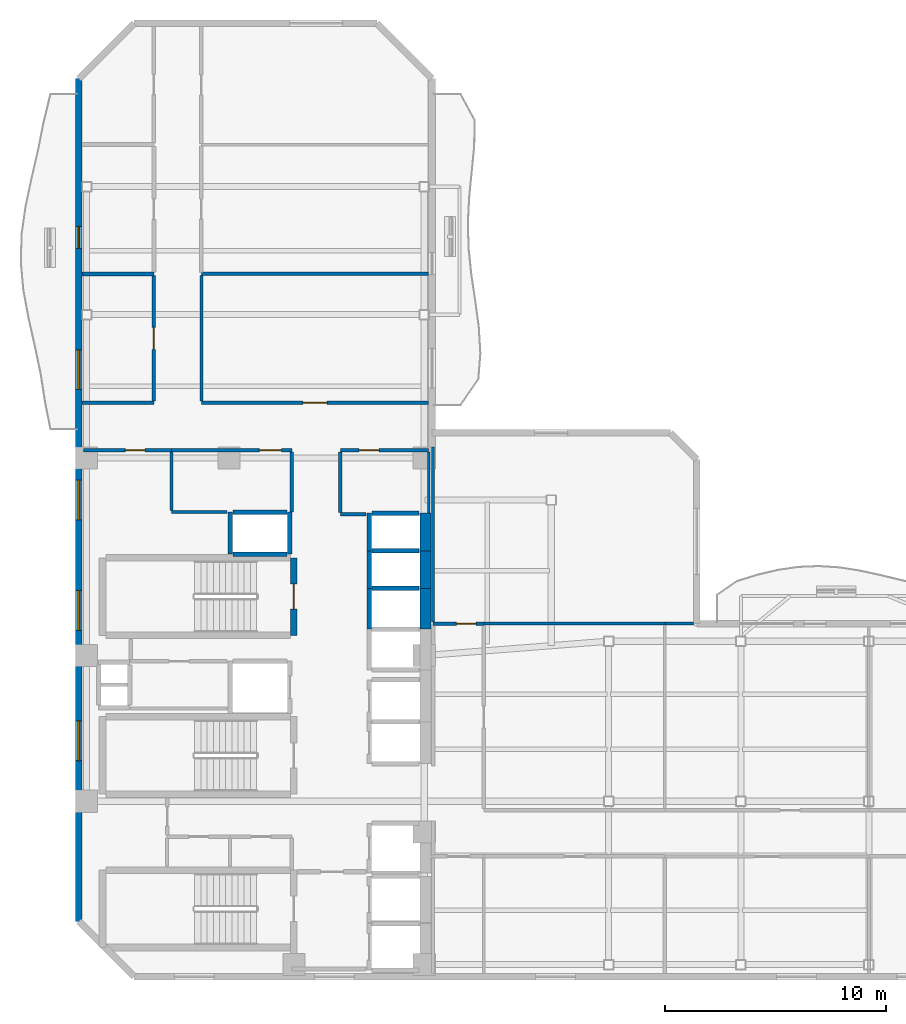
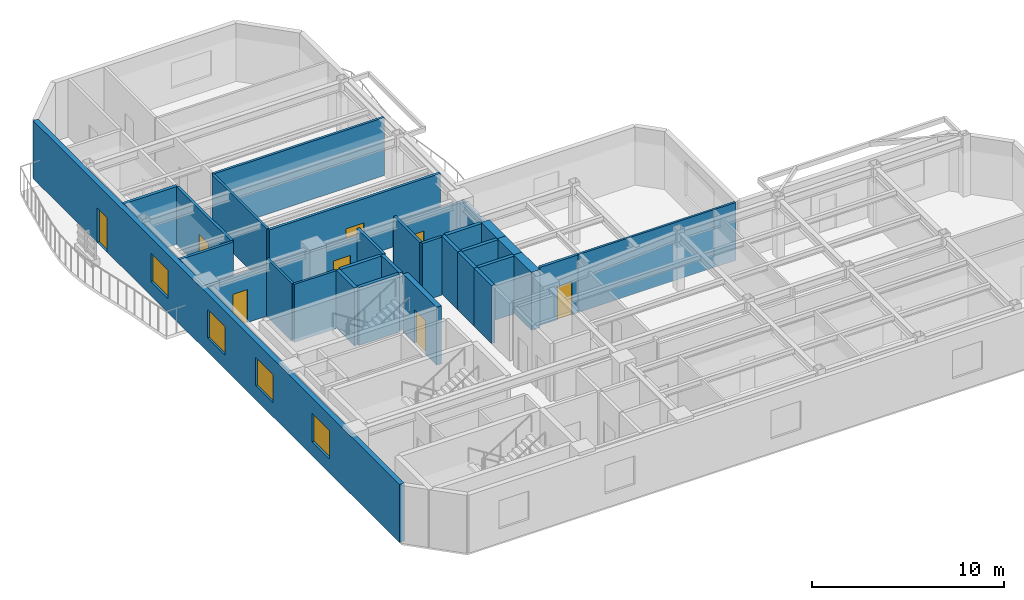
# One storey, part 4 of 9: 34 walls, 8 doors, 4 windows, 12 openings.
"""IFC4 building model written with IfcOpenShell, lengths in metres."""

from ifc_helpers import new_model, si_unit, direction, frame, frame_2d, origin, place, context, subcontext, project, spatial, rectangle, extrude, material, layer, layer_set, type_object, element, fill, save


model = new_model("IFC4")

# Units and contexts
model_context = context("Model", 3, precision=1e-05, world=origin(), true_north=direction((0.0, 1.0)))
body_context = subcontext(model_context, "Body", "Model", "MODEL_VIEW")
ifc_project = project(units=[si_unit("LENGTHUNIT", "METRE"), si_unit("AREAUNIT", "SQUARE_METRE"), si_unit("VOLUMEUNIT", "CUBIC_METRE"), si_unit("PLANEANGLEUNIT", "RADIAN"), si_unit("MASSUNIT", "GRAM", prefix="KILO")], contexts=[model_context])

# Site, building, storey
site_placement = place(None, origin())
site = spatial("IfcSite", under=ifc_project, at=site_placement, CompositionType="ELEMENT")
building_placement = place(site_placement, origin())
building = spatial("IfcBuilding", under=site, at=building_placement, Name="Mawjaban Terraces University", CompositionType="ELEMENT")
storey_placement = place(building_placement, frame((0.0, 0.0, 175.800048828125)))
storey = spatial("IfcBuildingStorey", under=building, at=storey_placement, Name="L42", CompositionType="ELEMENT", Elevation=175.800048828125)

# Walls
ifc_material_1 = material(Name="Acoustic masonry blockwork", Category="masonry")
ifc_layer_1 = layer(ifc_material_1, 0.179931640625)
ifc_layer_set_1 = layer_set([ifc_layer_1], Name="Acoustic masonry blockwork")
wall_type_1 = type_object("IfcWallType", Name="AcousticStudioWall_180", PredefinedType="PARTITIONING", material=ifc_layer_set_1)
wall_1_placement = place(storey_placement, frame((25.39990234375, 31.85009765625, 0.0), z_axis=(0.0, 0.0, 1.0), x_axis=(-1.0, 0.0, 0.0)))
element("IfcWall", 1, at=wall_1_placement, inside=storey, type_object=wall_type_1, Name="L42 Classroom 8 Partition 4", PredefinedType="PARTITIONING", context=body_context, shape_type="SweptSolid", body=[
    extrude(rectangle(XDim=3.2548828125, YDim=0.179931640625, at=frame_2d((1.62744140625, 0.0))), origin(), (0.0, 0.0, 1.0), 3.68994140625),
])
ifc_material_2 = material(Name="Concrete C60/75", Category="concrete")
ifc_layer_2 = layer(ifc_material_2, 0.5)
ifc_layer_set_2 = layer_set([ifc_layer_2], Name="Concrete C60/75")
wall_type_2 = type_object("IfcWallType", Name="CoreShearWall_500", PredefinedType="SHEAR", material=ifc_layer_set_2)
wall_2_placement = place(storey_placement, frame((37.699951171875, 15.75, 0.0), z_axis=(0.0, 0.0, 1.0), x_axis=(0.0, 1.0, 0.0)))
element("IfcWall", 2, at=wall_2_placement, inside=storey, type_object=wall_type_2, Name="L42 Lift OL-2 Hoistway Wall East", PredefinedType="SHEAR", context=body_context, shape_type="SweptSolid", body=[
    extrude(rectangle(XDim=1.85009765625, YDim=0.5, at=frame_2d((0.925048828125, 0.0))), origin(), (0.0, 0.0, 1.0), 3.68994140625),
])
for number, where, z_axis, x_axis, name in (
    (3, (37.699951171875, 17.60009765625, 0.0), (0.0, 0.0, 1.0), (0.0, 1.0, 0.0), "L42 Lift PL-M1 Hoistway Wall East"),
    (4, (37.699951171875, 19.300048828125, 0.0), (0.0, 0.0, 1.0), (0.0, 1.0, 0.0), "L42 Lift PL-M2 Hoistway Wall East"),
):
    element("IfcWall", number, at=place(storey_placement, frame(where, z_axis=z_axis, x_axis=x_axis)), inside=storey, type_object=wall_type_2, Name=name, PredefinedType="SHEAR", context=body_context, shape_type="SweptSolid", body=[
        extrude(rectangle(XDim=1.699951171875, YDim=0.5, at=frame_2d((0.85009765625, 0.0))), origin(), (0.0, 0.0, 1.0), 3.68994140625),
    ])
ifc_material_3 = material(Name="Fire-rated gypsum board on steel stud", Category="steel")
ifc_layer_3 = layer(ifc_material_3, 0.159912109375)
ifc_layer_set_3 = layer_set([ifc_layer_3], Name="Fire-rated gypsum board on steel stud")
wall_type_3 = type_object("IfcWallType", Name="CorridorPartition_160", PredefinedType="PARTITIONING", material=ifc_layer_set_3)
wall_3_placement = place(storey_placement, frame((25.39990234375, 26.0, 0.0), z_axis=(0.0, 0.0, 1.0), x_axis=(-1.0, 0.0, 0.0)))
element("IfcWall", 5, at=wall_3_placement, inside=storey, type_object=wall_type_3, Name="L42 North Core Cross-Corridor Partition 3", PredefinedType="PARTITIONING", context=body_context, shape_type="SweptSolid", body=[
    extrude(rectangle(XDim=3.2548828125, YDim=0.159912109375, at=frame_2d((1.62744140625, 0.0))), origin(), (0.0, 0.0, 1.0), 3.68994140625),
])

# Wall, opening, door
wall_4_placement = place(storey_placement, frame((26.199951171875, 23.85009765625, 0.0), z_axis=(0.0, 0.0, 1.0), x_axis=(-1.0, 0.0, 0.0)))
wall_4 = element("IfcWall", 6, at=wall_4_placement, inside=storey, type_object=wall_type_3, Name="L42 Female Toilet Partition 8", PredefinedType="PARTITIONING", context=body_context, shape_type="SweptSolid", body=[
    extrude(rectangle(XDim=4.0, YDim=0.159912109375, at=frame_2d((2.0, 0.0))), origin(), (0.0, 0.0, 1.0), 3.138916015625),
])
opening_1_placement = place(wall_4_placement, frame((1.2099609375, 0.0, 0.0)))
opening_1 = element("IfcOpeningElement", 7, at=opening_1_placement, cuts=wall_4, Name="Opening ID-088", PredefinedType="OPENING", context=body_context, shape_type="SweptSolid", body=[
    extrude(rectangle(XDim=0.8798828125, YDim=2.10009765625, at=frame_2d((0.43994140625, 1.050048828125))), frame((0.0, 0.08984375, 0.0), z_axis=(0.0, -1.0, 0.0), x_axis=(1.0, 0.0, 0.0)), (0.0, 0.0, 1.0), 0.179931640625),
])
ifc_material_4 = material(Name="Powder-coated steel frame and solid acoustic timber leaf", Category="steel")
door_type_1 = type_object("IfcDoorType", Name="ToiletDoor_880x2100", OperationType="NOTDEFINED", PredefinedType="DOOR", material=ifc_material_4)
door_1_placement = place(opening_1_placement, origin())
door_1 = element("IfcDoor", 8, at=door_1_placement, inside=storey, type_object=door_type_1, Name="L42 Female Toilet Door", OperationType="SINGLE_SWING_LEFT", OverallHeight=2.10009765625, OverallWidth=0.8798828125, PredefinedType="DOOR", context=body_context, shape_type="SweptSolid", body=[
    extrude(rectangle(XDim=0.8798828125, YDim=2.10009765625, at=frame_2d((0.43994140625, 1.050048828125))), frame((0.0, 0.02490234375, 0.0), z_axis=(0.0, -1.0, 0.0), x_axis=(1.0, 0.0, 0.0)), (0.0, 0.0, 1.0), 0.050048828125),
])
fill(opening_1, door_1)

wall_5_placement = place(storey_placement, frame((31.64990234375, 23.85009765625, 0.0), z_axis=(0.0, 0.0, 1.0), x_axis=(-1.0, 0.0, 0.0)))
wall_5 = element("IfcWall", 9, at=wall_5_placement, inside=storey, type_object=wall_type_3, Name="L42 Academic Tutorial Alcove Partition 11", PredefinedType="PARTITIONING", context=body_context, shape_type="SweptSolid", body=[
    extrude(rectangle(XDim=5.449951171875, YDim=0.159912109375, at=frame_2d((2.72509765625, 0.0))), origin(), (0.0, 0.0, 1.0), 3.138916015625),
])
opening_2_placement = place(wall_5_placement, frame((0.47509765625, 0.0, 0.0)))
opening_2 = element("IfcOpeningElement", 10, at=opening_2_placement, cuts=wall_5, Name="Opening ID-100", PredefinedType="OPENING", context=body_context, shape_type="SweptSolid", body=[
    extrude(rectangle(XDim=1.0, YDim=2.10009765625, at=frame_2d((0.5, 1.050048828125))), frame((0.0, 0.08984375, 0.0), z_axis=(0.0, -1.0, 0.0), x_axis=(1.0, 0.0, 0.0)), (0.0, 0.0, 1.0), 0.179931640625),
])
door_type_2 = type_object("IfcDoorType", Name="ClassroomDoor_1000x2100", OperationType="NOTDEFINED", PredefinedType="DOOR", material=ifc_material_4)
door_2_placement = place(opening_2_placement, origin())
door_2 = element("IfcDoor", 11, at=door_2_placement, inside=storey, type_object=door_type_2, Name="L42 Academic Tutorial Alcove Door", OperationType="SINGLE_SWING_RIGHT", OverallHeight=2.10009765625, OverallWidth=1.0, PredefinedType="DOOR", context=body_context, shape_type="SweptSolid", body=[
    extrude(rectangle(XDim=1.0, YDim=2.10009765625, at=frame_2d((0.5, 1.050048828125))), frame((0.0, 0.02490234375, 0.0), z_axis=(0.0, -1.0, 0.0), x_axis=(1.0, 0.0, 0.0)), (0.0, 0.0, 1.0), 0.050048828125),
])
fill(opening_2, door_2)

# Wall
wall_6_placement = place(storey_placement, frame((35.02001953125, 20.949951171875, 0.0), z_axis=(0.0, 0.0, 1.0), x_axis=(-1.0, 0.0, 0.0)))
element("IfcWall", 12, at=wall_6_placement, inside=storey, type_object=wall_type_3, Name="L42 Passenger Lift Lobby Partition 13", PredefinedType="PARTITIONING", context=body_context, shape_type="SweptSolid", body=[
    extrude(rectangle(XDim=1.169921875, YDim=0.159912109375, at=frame_2d((0.5849609375, 0.0))), origin(), (0.0, 0.0, 1.0), 3.68994140625),
])

# Wall, opening, door
wall_7_placement = place(storey_placement, frame((37.85009765625, 23.85009765625, 0.0), z_axis=(0.0, 0.0, 1.0), x_axis=(-1.0, 0.0, 0.0)))
wall_7 = element("IfcWall", 13, at=wall_7_placement, inside=storey, type_object=wall_type_3, Name="L42 Departmental Resource Seminar Room Partition 14", PredefinedType="PARTITIONING", context=body_context, shape_type="SweptSolid", body=[
    extrude(rectangle(XDim=4.0, YDim=0.159912109375, at=frame_2d((2.0, 0.0))), origin(), (0.0, 0.0, 1.0), 3.138916015625),
])
opening_3_placement = place(wall_7_placement, frame((2.25, 0.0, 0.0)))
opening_3 = element("IfcOpeningElement", 14, at=opening_3_placement, cuts=wall_7, Name="Opening ID-090", PredefinedType="OPENING", context=body_context, shape_type="SweptSolid", body=[
    extrude(rectangle(XDim=0.89990234375, YDim=2.10009765625, at=frame_2d((0.449951171875, 1.050048828125))), frame((0.0, 0.08984375, 0.0), z_axis=(0.0, -1.0, 0.0), x_axis=(1.0, 0.0, 0.0)), (0.0, 0.0, 1.0), 0.179931640625),
])
door_type_3 = type_object("IfcDoorType", Name="OfficeDoor_900x2100", OperationType="NOTDEFINED", PredefinedType="DOOR", material=ifc_material_4)
door_3_placement = place(opening_3_placement, origin())
door_3 = element("IfcDoor", 15, at=door_3_placement, inside=storey, type_object=door_type_3, Name="L42 Departmental Resource Seminar Room Door", OperationType="SINGLE_SWING_LEFT", OverallHeight=2.10009765625, OverallWidth=0.89990234375, PredefinedType="DOOR", context=body_context, shape_type="SweptSolid", body=[
    extrude(rectangle(XDim=0.89990234375, YDim=2.10009765625, at=frame_2d((0.449951171875, 1.050048828125))), frame((0.0, 0.02490234375, 0.0), z_axis=(0.0, -1.0, 0.0), x_axis=(1.0, 0.0, 0.0)), (0.0, 0.0, 1.0), 0.050048828125),
])
fill(opening_3, door_3)

wall_8_placement = place(storey_placement, frame((37.85009765625, 26.0, 0.0), z_axis=(0.0, 0.0, 1.0), x_axis=(-1.0, 0.0, 0.0)))
wall_8 = element("IfcWall", 16, at=wall_8_placement, inside=storey, type_object=wall_type_3, Name="L42 North Core Cross-Corridor Partition 15", PredefinedType="PARTITIONING", context=body_context, shape_type="SweptSolid", body=[
    extrude(rectangle(XDim=10.300048828125, YDim=0.159912109375, at=frame_2d((5.14990234375, 0.0))), origin(), (0.0, 0.0, 1.0), 3.68994140625),
])
opening_4_placement = place(wall_8_placement, frame((4.60009765625, 0.0, 0.0)))
opening_4 = element("IfcOpeningElement", 17, at=opening_4_placement, cuts=wall_8, Name="Opening ID-110", PredefinedType="OPENING", context=body_context, shape_type="SweptSolid", body=[
    extrude(rectangle(XDim=1.10009765625, YDim=2.14990234375, at=frame_2d((0.550048828125, 1.074951171875))), frame((0.0, 0.08984375, 0.0), z_axis=(0.0, -1.0, 0.0), x_axis=(1.0, 0.0, 0.0)), (0.0, 0.0, 1.0), 0.179931640625),
])
door_type_4 = type_object("IfcDoorType", Name="LabDoor_1100x2150", OperationType="NOTDEFINED", PredefinedType="DOOR", material=ifc_material_4)
door_4_placement = place(opening_4_placement, origin())
door_4 = element("IfcDoor", 18, at=door_4_placement, inside=storey, type_object=door_type_4, Name="L42 Computational Laboratory 9 Door", OperationType="SINGLE_SWING_RIGHT", OverallHeight=2.14990234375, OverallWidth=1.10009765625, PredefinedType="DOOR", context=body_context, shape_type="SweptSolid", body=[
    extrude(rectangle(XDim=1.10009765625, YDim=2.14990234375, at=frame_2d((0.550048828125, 1.074951171875))), frame((0.0, 0.02490234375, 0.0), z_axis=(0.0, -1.0, 0.0), x_axis=(1.0, 0.0, 0.0)), (0.0, 0.0, 1.0), 0.050048828125),
])
fill(opening_4, door_4)

wall_9_placement = place(storey_placement, frame((40.35009765625, 16.0, 0.0), z_axis=(0.0, 0.0, 1.0), x_axis=(-1.0, 0.0, 0.0)))
wall_9 = element("IfcWall", 19, at=wall_9_placement, inside=storey, type_object=wall_type_3, Name="L42 South Spine Spur Link Partition 20", PredefinedType="PARTITIONING", context=body_context, shape_type="SweptSolid", body=[
    extrude(rectangle(XDim=2.300048828125, YDim=0.159912109375, at=frame_2d((1.14990234375, 0.0))), origin(), (0.0, 0.0, 1.0), 3.68994140625),
])
opening_5_placement = place(wall_9_placement, frame((0.35009765625, 0.0, 0.0)))
opening_5 = element("IfcOpeningElement", 20, at=opening_5_placement, cuts=wall_9, Name="Opening ID-090", PredefinedType="OPENING", context=body_context, shape_type="SweptSolid", body=[
    extrude(rectangle(XDim=0.89990234375, YDim=2.10009765625, at=frame_2d((0.449951171875, 1.050048828125))), frame((0.0, 0.08984375, 0.0), z_axis=(0.0, -1.0, 0.0), x_axis=(1.0, 0.0, 0.0)), (0.0, 0.0, 1.0), 0.179931640625),
])
door_5_placement = place(opening_5_placement, origin())
door_5 = element("IfcDoor", 21, at=door_5_placement, inside=storey, type_object=door_type_3, Name="L42 Terrace Collaborative Study Room Door", OperationType="SINGLE_SWING_LEFT", OverallHeight=2.10009765625, OverallWidth=0.89990234375, PredefinedType="DOOR", context=body_context, shape_type="SweptSolid", body=[
    extrude(rectangle(XDim=0.89990234375, YDim=2.10009765625, at=frame_2d((0.449951171875, 1.050048828125))), frame((0.0, 0.02490234375, 0.0), z_axis=(0.0, -1.0, 0.0), x_axis=(1.0, 0.0, 0.0)), (0.0, 0.0, 1.0), 0.050048828125),
])
fill(opening_5, door_5)

wall_10_placement = place(storey_placement, frame((25.39990234375, 31.764892578125, 0.0), z_axis=(0.0, 0.0, 1.0), x_axis=(0.0, -1.0, 0.0)))
wall_10 = element("IfcWall", 22, at=wall_10_placement, inside=storey, type_object=wall_type_3, Name="L42 West Shifted Academic Corridor Partition 29", PredefinedType="PARTITIONING", context=body_context, shape_type="SweptSolid", body=[
    extrude(rectangle(XDim=5.68994140625, YDim=0.159912109375, at=frame_2d((2.844970703125, 0.0))), origin(), (0.0, 0.0, 1.0), 3.68994140625),
])
opening_6_placement = place(wall_10_placement, frame((2.344970703125, 0.0, 0.0)))
opening_6 = element("IfcOpeningElement", 23, at=opening_6_placement, cuts=wall_10, Name="Opening ID-100", PredefinedType="OPENING", context=body_context, shape_type="SweptSolid", body=[
    extrude(rectangle(XDim=1.0, YDim=2.10009765625, at=frame_2d((0.5, 1.050048828125))), frame((0.0, 0.08984375, 0.0), z_axis=(0.0, -1.0, 0.0), x_axis=(1.0, 0.0, 0.0)), (0.0, 0.0, 1.0), 0.179931640625),
])
door_6_placement = place(opening_6_placement, origin())
door_6 = element("IfcDoor", 24, at=door_6_placement, inside=storey, type_object=door_type_2, Name="L42 Classroom 8 Door", OperationType="SINGLE_SWING_LEFT", OverallHeight=2.10009765625, OverallWidth=1.0, PredefinedType="DOOR", context=body_context, shape_type="SweptSolid", body=[
    extrude(rectangle(XDim=1.0, YDim=2.10009765625, at=frame_2d((0.5, 1.050048828125))), frame((0.0, 0.02490234375, 0.0), z_axis=(0.0, -1.0, 0.0), x_axis=(1.0, 0.0, 0.0)), (0.0, 0.0, 1.0), 0.050048828125),
])
fill(opening_6, door_6)

# Walls
wall_11_placement = place(storey_placement, frame((31.64990234375, 23.77490234375, 0.0), z_axis=(0.0, 0.0, 1.0), x_axis=(0.0, -1.0, 0.0)))
element("IfcWall", 25, at=wall_11_placement, inside=storey, type_object=wall_type_3, Name="L42 Core North Lift Lobby Partition 40", PredefinedType="PARTITIONING", context=body_context, shape_type="SweptSolid", body=[
    extrude(rectangle(XDim=2.724853515625, YDim=0.159912109375, at=frame_2d((1.3623046875, 0.0))), origin(), (0.0, 0.0, 1.0), 3.68994140625),
])
wall_12_placement = place(storey_placement, frame((33.85009765625, 21.02490234375, 0.0), z_axis=(0.0, 0.0, 1.0), x_axis=(0.0, 1.0, 0.0)))
element("IfcWall", 26, at=wall_12_placement, inside=storey, type_object=wall_type_3, Name="L42 Core North Lift Lobby Partition 41", PredefinedType="PARTITIONING", context=body_context, shape_type="SweptSolid", body=[
    extrude(rectangle(XDim=2.75, YDim=0.159912109375, at=frame_2d((1.375, 0.0))), origin(), (0.0, 0.0, 1.0), 3.68994140625),
])

# Wall, openings, door, windows
ifc_material_5 = material(Name="Insulated terracotta rainscreen on concrete backup C40/50", Category="masonry")
ifc_layer_4 = layer(ifc_material_5, 0.300048828125)
ifc_layer_set_4 = layer_set([ifc_layer_4], Name="Insulated terracotta rainscreen on concrete backup C40/50")
wall_type_4 = type_object("IfcWallType", Name="ExtTerracottaWall_300", PredefinedType="SOLIDWALL", material=ifc_layer_set_4)
wall_13_placement = place(storey_placement, frame((22.0, 40.699951171875, 0.0), z_axis=(0.0, 0.0, 1.0), x_axis=(0.0, -1.0, 0.0)))
wall_13 = element("IfcWall", 27, at=wall_13_placement, inside=storey, type_object=wall_type_4, Name="L42 Exterior Terracotta Wall 13", PredefinedType="SOLIDWALL", context=body_context, shape_type="SweptSolid", body=[
    extrude(rectangle(XDim=38.199951171875, YDim=0.300048828125, at=frame_2d((19.10009765625, 0.0))), origin(), (0.0, 0.0, 1.0), 3.68994140625),
])
opening_7_placement = place(wall_13_placement, frame((6.699951171875, 0.0, 0.0)))
opening_7 = element("IfcOpeningElement", 28, at=opening_7_placement, cuts=wall_13, Name="Opening BD-100", PredefinedType="OPENING", context=body_context, shape_type="SweptSolid", body=[
    extrude(rectangle(XDim=1.0, YDim=2.199951171875, at=frame_2d((0.5, 1.10009765625))), frame((0.0, 0.159912109375, 0.0), z_axis=(0.0, -1.0, 0.0), x_axis=(1.0, 0.0, 0.0)), (0.0, 0.0, 1.0), 0.320068359375),
])
opening_8_placement = place(wall_13_placement, frame((12.29296875, 0.0, 0.89990234375)))
opening_8 = element("IfcOpeningElement", 29, at=opening_8_placement, cuts=wall_13, Name="Opening W-07", PredefinedType="OPENING", context=body_context, shape_type="SweptSolid", body=[
    extrude(rectangle(XDim=1.800048828125, YDim=1.800048828125, at=frame_2d((0.89990234375, 0.89990234375))), frame((0.0, 0.159912109375, 0.0), z_axis=(0.0, -1.0, 0.0), x_axis=(1.0, 0.0, 0.0)), (0.0, 0.0, 1.0), 0.320068359375),
])
opening_9_placement = place(wall_13_placement, frame((18.199951171875, 0.0, 0.89990234375)))
opening_9 = element("IfcOpeningElement", 30, at=opening_9_placement, cuts=wall_13, Name="Opening W-07", PredefinedType="OPENING", context=body_context, shape_type="SweptSolid", body=[
    extrude(rectangle(XDim=1.800048828125, YDim=1.800048828125, at=frame_2d((0.89990234375, 0.89990234375))), frame((0.0, 0.159912109375, 0.0), z_axis=(0.0, -1.0, 0.0), x_axis=(1.0, 0.0, 0.0)), (0.0, 0.0, 1.0), 0.320068359375),
])
opening_10_placement = place(wall_13_placement, frame((23.20703125, 0.0, 0.89990234375)))
opening_10 = element("IfcOpeningElement", 31, at=opening_10_placement, cuts=wall_13, Name="Opening W-07", PredefinedType="OPENING", context=body_context, shape_type="SweptSolid", body=[
    extrude(rectangle(XDim=1.800048828125, YDim=1.800048828125, at=frame_2d((0.89990234375, 0.89990234375))), frame((0.0, 0.159912109375, 0.0), z_axis=(0.0, -1.0, 0.0), x_axis=(1.0, 0.0, 0.0)), (0.0, 0.0, 1.0), 0.320068359375),
])
opening_11_placement = place(wall_13_placement, frame((29.114013671875, 0.0, 0.89990234375)))
opening_11 = element("IfcOpeningElement", 32, at=opening_11_placement, cuts=wall_13, Name="Opening W-07", PredefinedType="OPENING", context=body_context, shape_type="SweptSolid", body=[
    extrude(rectangle(XDim=1.800048828125, YDim=1.800048828125, at=frame_2d((0.89990234375, 0.89990234375))), frame((0.0, 0.159912109375, 0.0), z_axis=(0.0, -1.0, 0.0), x_axis=(1.0, 0.0, 0.0)), (0.0, 0.0, 1.0), 0.320068359375),
])
ifc_material_6 = material(Name="Thermally broken anodised aluminium and laminated safety glass", Category="aluminium")
door_type_5 = type_object("IfcDoorType", Name="BalconyGlazedDoor_1000x2200", OperationType="NOTDEFINED", PredefinedType="DOOR", material=ifc_material_6)
door_7_placement = place(opening_7_placement, origin())
door_7 = element("IfcDoor", 33, at=door_7_placement, inside=storey, type_object=door_type_5, Name="L42 Balcony Access Door west", OperationType="SINGLE_SWING_LEFT", OverallHeight=2.199951171875, OverallWidth=1.0, PredefinedType="DOOR", context=body_context, shape_type="SweptSolid", body=[
    extrude(rectangle(XDim=1.0, YDim=2.199951171875, at=frame_2d((0.5, 1.10009765625))), frame((0.0, 0.02490234375, 0.0), z_axis=(0.0, -1.0, 0.0), x_axis=(1.0, 0.0, 0.0)), (0.0, 0.0, 1.0), 0.050048828125),
])
fill(opening_7, door_7)
ifc_material_7 = material(Name="Low-E solar-control double glazing in thermally broken aluminium frame", Category="aluminium")
window_type = type_object("IfcWindowType", Name="Win_1800x1800", PartitioningType="SINGLE_PANEL", PredefinedType="WINDOW", material=ifc_material_7)
window_1_placement = place(opening_8_placement, origin())
window_1 = element("IfcWindow", 34, at=window_1_placement, inside=storey, type_object=window_type, Name="L42 Facade Window 13.3", OverallHeight=1.800048828125, OverallWidth=1.800048828125, PartitioningType="SINGLE_PANEL", PredefinedType="WINDOW", context=body_context, shape_type="SweptSolid", body=[
    extrude(rectangle(XDim=1.800048828125, YDim=1.800048828125, at=frame_2d((0.89990234375, 0.89990234375))), frame((0.0, 0.030029296875, 0.0), z_axis=(0.0, -1.0, 0.0), x_axis=(1.0, 0.0, 0.0)), (0.0, 0.0, 1.0), 0.06005859375),
])
fill(opening_8, window_1)
window_2_placement = place(opening_9_placement, origin())
window_2 = element("IfcWindow", 35, at=window_2_placement, inside=storey, type_object=window_type, Name="L42 Facade Window 13.4", OverallHeight=1.800048828125, OverallWidth=1.800048828125, PartitioningType="SINGLE_PANEL", PredefinedType="WINDOW", context=body_context, shape_type="SweptSolid", body=[
    extrude(rectangle(XDim=1.800048828125, YDim=1.800048828125, at=frame_2d((0.89990234375, 0.89990234375))), frame((0.0, 0.030029296875, 0.0), z_axis=(0.0, -1.0, 0.0), x_axis=(1.0, 0.0, 0.0)), (0.0, 0.0, 1.0), 0.06005859375),
])
fill(opening_9, window_2)
window_3_placement = place(opening_10_placement, origin())
window_3 = element("IfcWindow", 36, at=window_3_placement, inside=storey, type_object=window_type, Name="L42 Facade Window 13.5", OverallHeight=1.800048828125, OverallWidth=1.800048828125, PartitioningType="SINGLE_PANEL", PredefinedType="WINDOW", context=body_context, shape_type="SweptSolid", body=[
    extrude(rectangle(XDim=1.800048828125, YDim=1.800048828125, at=frame_2d((0.89990234375, 0.89990234375))), frame((0.0, 0.030029296875, 0.0), z_axis=(0.0, -1.0, 0.0), x_axis=(1.0, 0.0, 0.0)), (0.0, 0.0, 1.0), 0.06005859375),
])
fill(opening_10, window_3)
window_4_placement = place(opening_11_placement, origin())
window_4 = element("IfcWindow", 37, at=window_4_placement, inside=storey, type_object=window_type, Name="L42 Facade Window 13.6", OverallHeight=1.800048828125, OverallWidth=1.800048828125, PartitioningType="SINGLE_PANEL", PredefinedType="WINDOW", context=body_context, shape_type="SweptSolid", body=[
    extrude(rectangle(XDim=1.800048828125, YDim=1.800048828125, at=frame_2d((0.89990234375, 0.89990234375))), frame((0.0, 0.030029296875, 0.0), z_axis=(0.0, -1.0, 0.0), x_axis=(1.0, 0.0, 0.0)), (0.0, 0.0, 1.0), 0.06005859375),
])
fill(opening_11, window_4)

# Walls
ifc_material_8 = material(Name="Concrete C40/50", Category="concrete")
ifc_layer_5 = layer(ifc_material_8, 0.199951171875)
ifc_layer_set_5 = layer_set([ifc_layer_5], Name="Concrete C40/50")
wall_type_5 = type_object("IfcWallType", Name="FireLobbyWall_200", PredefinedType="SOLIDWALL", material=ifc_layer_set_5)
wall_14_placement = place(storey_placement, frame((35.14990234375, 17.60009765625, 0.0), z_axis=(0.0, 0.0, 1.0), x_axis=(0.0, -1.0, 0.0)))
element("IfcWall", 38, at=wall_14_placement, inside=storey, type_object=wall_type_5, Name="L42 Lift OL-2 Hoistway Wall West", PredefinedType="SOLIDWALL", context=body_context, shape_type="SweptSolid", body=[
    extrude(rectangle(XDim=1.85009765625, YDim=0.199951171875, at=frame_2d((0.925048828125, 0.0))), origin(), (0.0, 0.0, 1.0), 3.68994140625),
])
wall_15_placement = place(storey_placement, frame((37.419921875, 17.60009765625, 0.0), z_axis=(0.0, 0.0, 1.0), x_axis=(-1.0, 0.0, 0.0)))
element("IfcWall", 39, at=wall_15_placement, inside=storey, type_object=wall_type_5, Name="L42 Lift OL-2 Hoistway Wall North", PredefinedType="SOLIDWALL", context=body_context, shape_type="SweptSolid", body=[
    extrude(rectangle(XDim=2.139892578125, YDim=0.199951171875, at=frame_2d((1.06982421875, 0.0))), origin(), (0.0, 0.0, 1.0), 3.68994140625),
])
wall_16_placement = place(storey_placement, frame((35.14990234375, 19.300048828125, 0.0), z_axis=(0.0, 0.0, 1.0), x_axis=(0.0, -1.0, 0.0)))
element("IfcWall", 40, at=wall_16_placement, inside=storey, type_object=wall_type_5, Name="L42 Lift PL-M1 Hoistway Wall West", PredefinedType="SOLIDWALL", context=body_context, shape_type="SweptSolid", body=[
    extrude(rectangle(XDim=1.699951171875, YDim=0.199951171875, at=frame_2d((0.85009765625, 0.0))), origin(), (0.0, 0.0, 1.0), 3.68994140625),
])
wall_17_placement = place(storey_placement, frame((37.419921875, 19.300048828125, 0.0), z_axis=(0.0, 0.0, 1.0), x_axis=(-1.0, 0.0, 0.0)))
element("IfcWall", 41, at=wall_17_placement, inside=storey, type_object=wall_type_5, Name="L42 Lift PL-M1 Hoistway Wall North", PredefinedType="SOLIDWALL", context=body_context, shape_type="SweptSolid", body=[
    extrude(rectangle(XDim=2.139892578125, YDim=0.199951171875, at=frame_2d((1.06982421875, 0.0))), origin(), (0.0, 0.0, 1.0), 3.68994140625),
])
wall_18_placement = place(storey_placement, frame((35.14990234375, 21.0, 0.0), z_axis=(0.0, 0.0, 1.0), x_axis=(0.0, -1.0, 0.0)))
element("IfcWall", 42, at=wall_18_placement, inside=storey, type_object=wall_type_5, Name="L42 Lift PL-M2 Hoistway Wall West", PredefinedType="SOLIDWALL", context=body_context, shape_type="SweptSolid", body=[
    extrude(rectangle(XDim=1.699951171875, YDim=0.199951171875, at=frame_2d((0.85009765625, 0.0))), origin(), (0.0, 0.0, 1.0), 3.68994140625),
])
wall_19_placement = place(storey_placement, frame((37.419921875, 21.0, 0.0), z_axis=(0.0, 0.0, 1.0), x_axis=(-1.0, 0.0, 0.0)))
element("IfcWall", 43, at=wall_19_placement, inside=storey, type_object=wall_type_5, Name="L42 Lift PL-M2 Hoistway Wall North", PredefinedType="SOLIDWALL", context=body_context, shape_type="SweptSolid", body=[
    extrude(rectangle(XDim=2.139892578125, YDim=0.199951171875, at=frame_2d((1.06982421875, 0.0))), origin(), (0.0, 0.0, 1.0), 3.68994140625),
])
for number, where, z_axis, x_axis, name in (
    (44, (28.85009765625, 21.050048828125, 0.0), (0.0, 0.0, 1.0), (0.0, -1.0, 0.0), "L42 Lift PL-M3 Hoistway Wall West"),
    (45, (31.550048828125, 19.14990234375, 0.0), (0.0, 0.0, 1.0), (0.0, 1.0, 0.0), "L42 Lift PL-M3 Hoistway Wall East"),
):
    element("IfcWall", number, at=place(storey_placement, frame(where, z_axis=z_axis, x_axis=x_axis)), inside=storey, type_object=wall_type_5, Name=name, PredefinedType="SOLIDWALL", context=body_context, shape_type="SweptSolid", body=[
        extrude(rectangle(XDim=1.900146484375, YDim=0.199951171875, at=frame_2d((0.9501953125, 0.0))), origin(), (0.0, 0.0, 1.0), 3.68994140625),
    ])
for number, where, z_axis, x_axis, name in (
    (46, (28.97998046875, 19.14990234375, 0.0), (0.0, 0.0, 1.0), (1.0, 0.0, 0.0), "L42 Lift PL-M3 Hoistway Wall South"),
    (47, (31.419921875, 21.050048828125, 0.0), (0.0, 0.0, 1.0), (-1.0, 0.0, 0.0), "L42 Lift PL-M3 Hoistway Wall North"),
):
    element("IfcWall", number, at=place(storey_placement, frame(where, z_axis=z_axis, x_axis=x_axis)), inside=storey, type_object=wall_type_5, Name=name, PredefinedType="SOLIDWALL", context=body_context, shape_type="SweptSolid", body=[
        extrude(rectangle(XDim=2.43994140625, YDim=0.199951171875, at=frame_2d((1.219970703125, 0.0))), origin(), (0.0, 0.0, 1.0), 3.68994140625),
    ])
ifc_material_9 = material(Name="Moisture-resistant gypsum board on steel stud", Category="steel")
ifc_layer_6 = layer(ifc_material_9, 0.14501953125)
ifc_layer_set_6 = layer_set([ifc_layer_6], Name="Moisture-resistant gypsum board on steel stud")
wall_type_6 = type_object("IfcWallType", Name="LabPartition_145", PredefinedType="PARTITIONING", material=ifc_layer_set_6)
wall_20_placement = place(storey_placement, frame((37.85009765625, 31.85009765625, 0.0), z_axis=(0.0, 0.0, 1.0), x_axis=(-1.0, 0.0, 0.0)))
element("IfcWall", 48, at=wall_20_placement, inside=storey, type_object=wall_type_6, Name="L42 Computational Laboratory 9 Partition 16", PredefinedType="PARTITIONING", context=body_context, shape_type="SweptSolid", body=[
    extrude(rectangle(XDim=10.300048828125, YDim=0.14501953125, at=frame_2d((5.14990234375, 0.0))), origin(), (0.0, 0.0, 1.0), 3.68994140625),
])
wall_21_placement = place(storey_placement, frame((27.550048828125, 26.074951171875, 0.0), z_axis=(0.0, 0.0, 1.0), x_axis=(0.0, 1.0, 0.0)))
element("IfcWall", 49, at=wall_21_placement, inside=storey, type_object=wall_type_6, Name="L42 West Shifted Academic Corridor Partition 35", PredefinedType="PARTITIONING", context=body_context, shape_type="SweptSolid", body=[
    extrude(rectangle(XDim=5.7080078125, YDim=0.14501953125, at=frame_2d((2.85400390625, 0.0))), origin(), (0.0, 0.0, 1.0), 3.68994140625),
])
ifc_material_10 = material(Name="Gypsum plasterboard on steel stud", Category="steel")
ifc_layer_7 = layer(ifc_material_10, 0.125)
ifc_layer_set_7 = layer_set([ifc_layer_7], Name="Gypsum plasterboard on steel stud")
wall_type_7 = type_object("IfcWallType", Name="OfficePartition_125", PredefinedType="PARTITIONING", material=ifc_layer_set_7)
wall_22_placement = place(storey_placement, frame((48.550048828125, 16.0, 0.0), z_axis=(0.0, 0.0, 1.0), x_axis=(1.0, 0.0, 0.0)))
element("IfcWall", 50, at=wall_22_placement, inside=storey, type_object=wall_type_7, Name="L42 Terrace Collaborative Study Room Partition 23", PredefinedType="PARTITIONING", context=body_context, shape_type="SweptSolid", body=[
    extrude(rectangle(XDim=1.304931640625, YDim=0.125, at=frame_2d((0.65234375, 0.0))), origin(), (0.0, 0.0, 1.0), 3.68994140625),
])
wall_23_placement = place(storey_placement, frame((48.550048828125, 16.0, 0.0), z_axis=(0.0, 0.0, 1.0), x_axis=(-1.0, 0.0, 0.0)))
element("IfcWall", 51, at=wall_23_placement, inside=storey, type_object=wall_type_7, Name="L42 Classroom 3 Partition 24", PredefinedType="PARTITIONING", context=body_context, shape_type="SweptSolid", body=[
    extrude(rectangle(XDim=8.199951171875, YDim=0.125, at=frame_2d((4.10009765625, 0.0))), origin(), (0.0, 0.0, 1.0), 3.68994140625),
])
wall_24_placement = place(storey_placement, frame((37.85009765625, 21.0, 0.0), z_axis=(0.0, 0.0, 1.0), x_axis=(0.0, 1.0, 0.0)))
element("IfcWall", 52, at=wall_24_placement, inside=storey, type_object=wall_type_7, Name="L42 Departmental Resource Seminar Room Partition 42", PredefinedType="PARTITIONING", context=body_context, shape_type="SweptSolid", body=[
    extrude(rectangle(XDim=2.77490234375, YDim=0.125, at=frame_2d((1.387451171875, 0.0))), origin(), (0.0, 0.0, 1.0), 3.138916015625),
])
wall_25_placement = place(storey_placement, frame((38.050048828125, 24.0, 0.0), z_axis=(0.0, 0.0, 1.0), x_axis=(0.0, -1.0, 0.0)))
element("IfcWall", 53, at=wall_25_placement, inside=storey, type_object=wall_type_7, Name="L42 Terrace Collaborative Study Room Partition 46", PredefinedType="PARTITIONING", context=body_context, shape_type="SweptSolid", body=[
    extrude(rectangle(XDim=7.925048828125, YDim=0.125, at=frame_2d((3.96240234375, 0.0))), origin(), (0.0, 0.0, 1.0), 3.138916015625),
])

# Wall, opening, door
ifc_layer_8 = layer(ifc_material_2, 0.300048828125)
ifc_layer_set_8 = layer_set([ifc_layer_8], Name="Concrete C60/75")
wall_type_8 = type_object("IfcWallType", Name="StairShaftWall_300", PredefinedType="SHEAR", material=ifc_layer_set_8)
wall_26_placement = place(storey_placement, frame((31.72998046875, 15.469970703125, 0.0), z_axis=(0.0, 0.0, 1.0), x_axis=(0.0, 1.0, 0.0)))
wall_26 = element("IfcWall", 54, at=wall_26_placement, inside=storey, type_object=wall_type_8, Name="L42 ST-2 Stair Shaft Wall 4", PredefinedType="SHEAR", context=body_context, shape_type="SweptSolid", body=[
    extrude(rectangle(XDim=3.510009765625, YDim=0.300048828125, at=frame_2d((1.7548828125, 0.0))), origin(), (0.0, 0.0, 1.0), 3.68994140625),
])
opening_12_placement = place(wall_26_placement, frame((1.179931640625, 0.0, 0.0)))
opening_12 = element("IfcOpeningElement", 55, at=opening_12_placement, cuts=wall_26, Name="Opening FD-115", PredefinedType="OPENING", context=body_context, shape_type="SweptSolid", body=[
    extrude(rectangle(XDim=1.14990234375, YDim=2.14990234375, at=frame_2d((0.574951171875, 1.074951171875))), frame((0.0, 0.159912109375, 0.0), z_axis=(0.0, -1.0, 0.0), x_axis=(1.0, 0.0, 0.0)), (0.0, 0.0, 1.0), 0.320068359375),
])
ifc_material_11 = material(Name="Powder-coated steel frame and fire-rated steel-faced leaf", Category="steel")
door_type_6 = type_object("IfcDoorType", Name="FireStairDoor_1150x2150", OperationType="NOTDEFINED", PredefinedType="DOOR", material=ifc_material_11)
door_8_placement = place(opening_12_placement, origin())
door_8 = element("IfcDoor", 56, at=door_8_placement, inside=storey, type_object=door_type_6, Name="L42 ST-2 Pressurised Stair Fire Door", OperationType="SINGLE_SWING_RIGHT", OverallHeight=2.14990234375, OverallWidth=1.14990234375, PredefinedType="DOOR", context=body_context, shape_type="SweptSolid", body=[
    extrude(rectangle(XDim=1.14990234375, YDim=2.14990234375, at=frame_2d((0.574951171875, 1.074951171875))), frame((0.0, 0.02490234375, 0.0), z_axis=(0.0, -1.0, 0.0), x_axis=(1.0, 0.0, 0.0)), (0.0, 0.0, 1.0), 0.050048828125),
])
fill(opening_12, door_8)

# Walls
ifc_material_12 = material(Name="Cement-board wet-room partition", Category="masonry")
ifc_layer_9 = layer(ifc_material_12, 0.135009765625)
ifc_layer_set_9 = layer_set([ifc_layer_9], Name="Cement-board wet-room partition")
wall_type_9 = type_object("IfcWallType", Name="WetRoomPartition_135", PredefinedType="PARTITIONING", material=ifc_layer_set_9)
wall_27_placement = place(storey_placement, frame((26.199951171875, 21.050048828125, 0.0), z_axis=(0.0, 0.0, 1.0), x_axis=(1.0, 0.0, 0.0)))
element("IfcWall", 57, at=wall_27_placement, inside=storey, type_object=wall_type_9, Name="L42 Academic Tutorial Alcove Partition 7", PredefinedType="PARTITIONING", context=body_context, shape_type="SweptSolid", body=[
    extrude(rectangle(XDim=2.52001953125, YDim=0.135009765625, at=frame_2d((1.260009765625, 0.0))), origin(), (0.0, 0.0, 1.0), 3.68994140625),
])
wall_28_placement = place(storey_placement, frame((26.199951171875, 23.77490234375, 0.0), z_axis=(0.0, 0.0, 1.0), x_axis=(0.0, -1.0, 0.0)))
element("IfcWall", 58, at=wall_28_placement, inside=storey, type_object=wall_type_9, Name="L42 Academic Tutorial Alcove Partition 34", PredefinedType="PARTITIONING", context=body_context, shape_type="SweptSolid", body=[
    extrude(rectangle(XDim=2.661865234375, YDim=0.135009765625, at=frame_2d((1.3310546875, 0.0))), origin(), (0.0, 0.0, 1.0), 3.68994140625),
])

save(model, "model.ifc")
